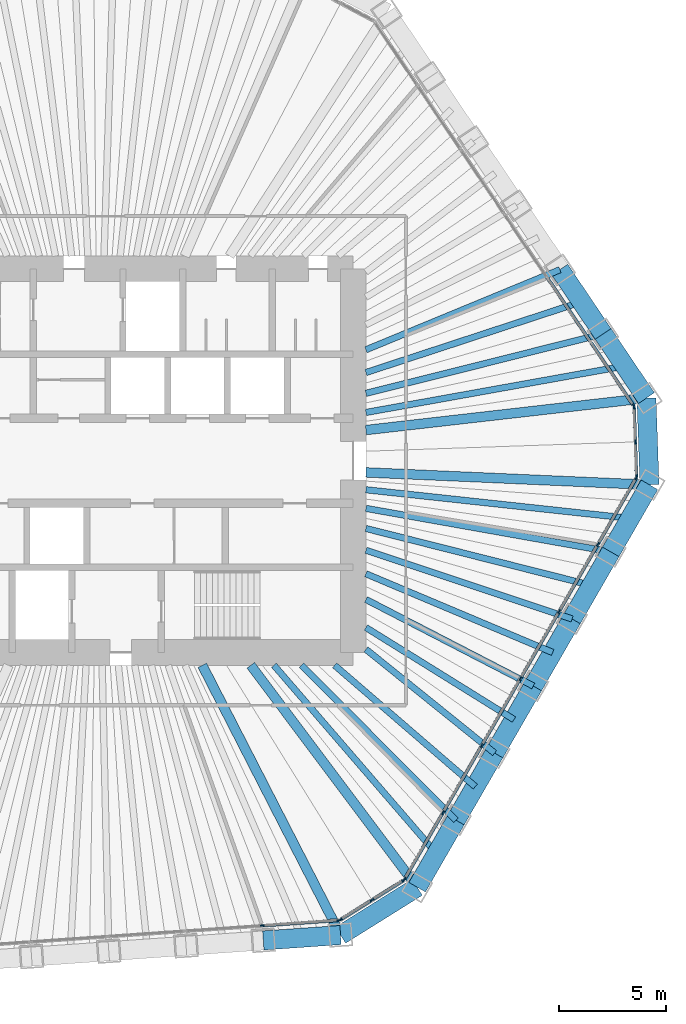
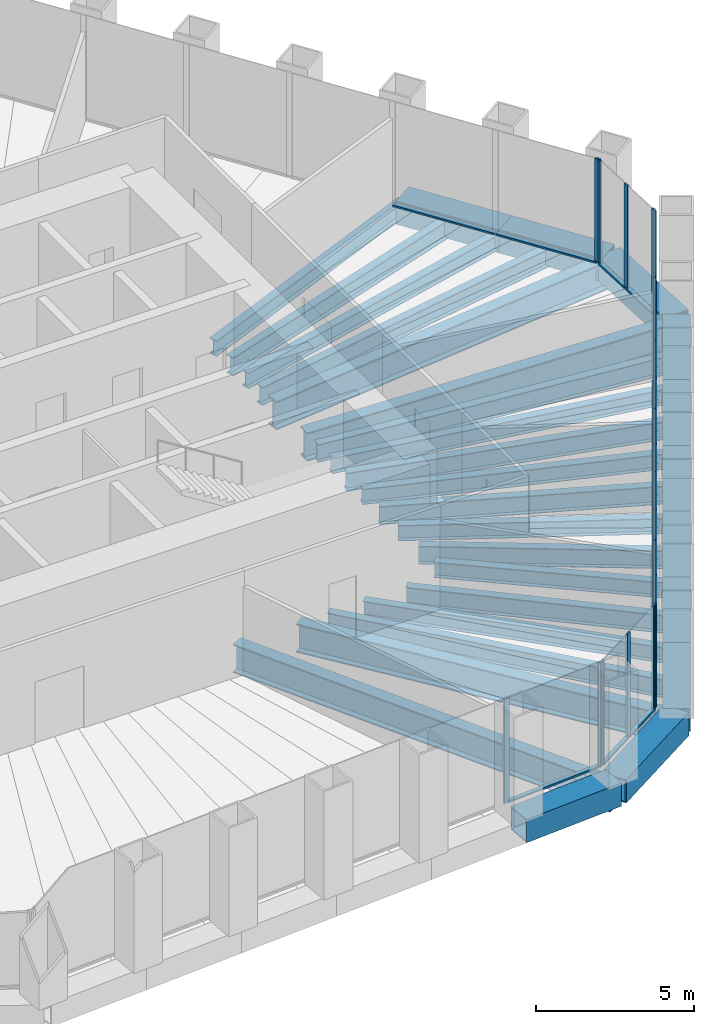
# One storey, part 4 of 13: 30 beams, 29 members, 5 elements without a shape of their own.
"""IFC4 building model written with IfcOpenShell, lengths in metres."""

from ifc_helpers import new_model, si_unit, direction, frame, origin, origin_2d, place, context, subcontext, project, spatial, rectangle, hollow_rectangle, i_section, extrude, material, material_profile, profile_set, type_object, element, aggregate, save


model = new_model("IFC4")

# Units and contexts
model_context = context("Model", 3, precision=1e-05, world=origin(), true_north=direction((0.0, 1.0)))
body_context = subcontext(model_context, "Body", "Model", "MODEL_VIEW")
ifc_project = project(units=[si_unit("LENGTHUNIT", "METRE"), si_unit("AREAUNIT", "SQUARE_METRE"), si_unit("VOLUMEUNIT", "CUBIC_METRE"), si_unit("PLANEANGLEUNIT", "RADIAN"), si_unit("MASSUNIT", "GRAM", prefix="KILO")], contexts=[model_context])

# Site, building, storey
site_placement = place(None, origin())
site = spatial("IfcSite", under=ifc_project, at=site_placement, CompositionType="ELEMENT")
building_placement = place(site_placement, origin())
building = spatial("IfcBuilding", under=site, at=building_placement, Name="Qingtian Harvest Tower", CompositionType="ELEMENT")
storey_placement = place(building_placement, frame((0.0, 0.0, 193.0)))
storey = spatial("IfcBuildingStorey", under=building, at=storey_placement, Name="L41", CompositionType="ELEMENT", Elevation=193.0)

# Beams
ifc_material_1 = material(Name="Steel SM570MC", Category="steel")
ifc_material_profile_1 = material_profile(ifc_material_1, i_section(OverallWidth=0.449951171875, OverallDepth=1.10009765625, WebThickness=0.02197265625, FlangeThickness=0.044921875, at=origin_2d()), Name="H1100x450x22x45")
ifc_profile_set_1 = profile_set([ifc_material_profile_1], Name="Steel SM570MC")
beam_type_1 = type_object("IfcBeamType", Name="Corner floor beam FB8 H1100x450x22x45", PredefinedType="BEAM", material=ifc_profile_set_1)
beam_1_placement = place(storey_placement, frame((25.762451171875, 2.936279296875, -0.719970703125), z_axis=(-0.993566901619, -0.113246686522, 0.0), x_axis=(0.113246686522, -0.993566901619, 0.0)))
element("IfcBeam", 1, at=beam_1_placement, inside=storey, type_object=beam_type_1, Name="Floor beam FB8 NE6", PredefinedType="BEAM", context=body_context, shape_type="SweptSolid", body=[
    extrude(i_section(OverallWidth=0.449951171875, OverallDepth=1.10009765625, WebThickness=0.02197265625, FlangeThickness=0.044921875, at=origin_2d()), origin(), (0.0, 0.0, 1.0), 13.24755859375),
])
beam_2_placement = place(storey_placement, frame((25.904541015625, -1.1318359375, -0.719970703125), z_axis=(-0.999046865424, 0.043650437408, 0.0), x_axis=(-0.043650437408, -0.999046865424, 0.0)))
element("IfcBeam", 2, at=beam_2_placement, inside=storey, type_object=beam_type_1, Name="Floor beam FB8 SE0", PredefinedType="BEAM", context=body_context, shape_type="SweptSolid", body=[
    extrude(i_section(OverallWidth=0.449951171875, OverallDepth=1.10009765625, WebThickness=0.02197265625, FlangeThickness=0.044921875, at=origin_2d()), origin(), (0.0, 0.0, 1.0), 13.317138671875),
])
beam_3_placement = place(storey_placement, frame((15.00390625, -20.012451171875, -0.719970703125), z_axis=(-0.599858913609, 0.800105795357, 0.0), x_axis=(-0.800105795357, -0.599858913609, 0.0)))
element("IfcBeam", 3, at=beam_3_placement, inside=storey, type_object=beam_type_1, Name="Floor beam FB8 SE6", PredefinedType="BEAM", context=body_context, shape_type="SweptSolid", body=[
    extrude(i_section(OverallWidth=0.449951171875, OverallDepth=1.10009765625, WebThickness=0.02197265625, FlangeThickness=0.044921875, at=origin_2d()), origin(), (0.0, 0.0, 1.0), 13.013671875),
])
beam_4_placement = place(storey_placement, frame((11.40966796875, -22.25830078125, -0.719970703125), z_axis=(-0.456157396608, 0.889899111989, 0.0), x_axis=(-0.889899111989, -0.456157396608, 0.0)))
element("IfcBeam", 4, at=beam_4_placement, inside=storey, type_object=beam_type_1, Name="Floor beam FB8 S0", PredefinedType="BEAM", context=body_context, shape_type="SweptSolid", body=[
    extrude(i_section(OverallWidth=0.449951171875, OverallDepth=1.10009765625, WebThickness=0.02197265625, FlangeThickness=0.044921875, at=origin_2d()), origin(), (0.0, 0.0, 1.0), 14.224365234375),
])
ifc_material_2 = material(Name="Steel SN490B", Category="steel")
ifc_material_profile_2 = material_profile(ifc_material_2, i_section(OverallWidth=0.300048828125, OverallDepth=0.60009765625, WebThickness=0.011962890625, FlangeThickness=0.02001953125, at=origin_2d()), Name="H600x300x12x20")
ifc_profile_set_2 = profile_set([ifc_material_profile_2], Name="Steel SN490B")
beam_type_2 = type_object("IfcBeamType", Name="Floor beam FB3 H600x300x12x20", PredefinedType="BEAM", material=ifc_profile_set_2)
beam_5_placement = place(storey_placement, frame((21.69873046875, 8.9609375, -0.469970703125), z_axis=(-0.924281590361, -0.381711332973, 0.0), x_axis=(0.381711332973, -0.924281590361, 0.0)))
element("IfcBeam", 5, at=beam_5_placement, inside=storey, type_object=beam_type_2, Name="Floor beam FB3 NE4", PredefinedType="BEAM", context=body_context, shape_type="SweptSolid", body=[
    extrude(i_section(OverallWidth=0.300048828125, OverallDepth=0.60009765625, WebThickness=0.011962890625, FlangeThickness=0.02001953125, at=origin_2d()), origin(), (0.0, 0.0, 1.0), 9.843994140625),
])
beam_6_placement = place(storey_placement, frame((23.730712890625, 5.948486328125, -0.469970703125), z_axis=(-0.969990876487, -0.243141315972, 0.0), x_axis=(0.243141315972, -0.969990876487, 0.0)))
element("IfcBeam", 6, at=beam_6_placement, inside=storey, type_object=beam_type_2, Name="Floor beam FB3 NE5", PredefinedType="BEAM", context=body_context, shape_type="SweptSolid", body=[
    extrude(i_section(OverallWidth=0.300048828125, OverallDepth=0.60009765625, WebThickness=0.011962890625, FlangeThickness=0.02001953125, at=origin_2d()), origin(), (0.0, 0.0, 1.0), 11.474853515625),
])
beam_7_placement = place(storey_placement, frame((24.087890625, -4.27880859375, -0.469970703125), z_axis=(-0.98458469654, 0.174908477034, 0.0), x_axis=(-0.174908477034, -0.98458469654, 0.0)))
element("IfcBeam", 7, at=beam_7_placement, inside=storey, type_object=beam_type_2, Name="Floor beam FB3 SE1", PredefinedType="BEAM", context=body_context, shape_type="SweptSolid", body=[
    extrude(i_section(OverallWidth=0.300048828125, OverallDepth=0.60009765625, WebThickness=0.011962890625, FlangeThickness=0.02001953125, at=origin_2d()), origin(), (0.0, 0.0, 1.0), 11.667724609375),
])
beam_8_placement = place(storey_placement, frame((22.27099609375, -7.425537109375, -0.469970703125), z_axis=(-0.948654555734, 0.316313979908, 0.0), x_axis=(-0.316313979908, -0.948654555734, 0.0)))
element("IfcBeam", 8, at=beam_8_placement, inside=storey, type_object=beam_type_2, Name="Floor beam FB3 SE2", PredefinedType="BEAM", context=body_context, shape_type="SweptSolid", body=[
    extrude(i_section(OverallWidth=0.300048828125, OverallDepth=0.60009765625, WebThickness=0.011962890625, FlangeThickness=0.02001953125, at=origin_2d()), origin(), (0.0, 0.0, 1.0), 10.1943359375),
])
beam_9_placement = place(storey_placement, frame((20.454345703125, -10.572265625, -0.469970703125), z_axis=(-0.888343501027, 0.459179511938, 0.0), x_axis=(-0.459179511938, -0.888343501027, 0.0)))
element("IfcBeam", 9, at=beam_9_placement, inside=storey, type_object=beam_type_2, Name="Floor beam FB3 SE3", PredefinedType="BEAM", context=body_context, shape_type="SweptSolid", body=[
    extrude(i_section(OverallWidth=0.300048828125, OverallDepth=0.60009765625, WebThickness=0.011962890625, FlangeThickness=0.02001953125, at=origin_2d()), origin(), (0.0, 0.0, 1.0), 8.841552734375),
])
beam_10_placement = place(storey_placement, frame((18.637451171875, -13.718994140625, -0.469970703125), z_axis=(-0.77840907003, 0.62775737327, 0.0), x_axis=(-0.62775737327, -0.77840907003, 0.0)))
element("IfcBeam", 10, at=beam_10_placement, inside=storey, type_object=beam_type_2, Name="Floor beam FB3 SE4", PredefinedType="BEAM", context=body_context, shape_type="SweptSolid", body=[
    extrude(i_section(OverallWidth=0.300048828125, OverallDepth=0.60009765625, WebThickness=0.011962890625, FlangeThickness=0.02001953125, at=origin_2d()), origin(), (0.0, 0.0, 1.0), 7.756103515625),
])
beam_11_placement = place(storey_placement, frame((16.82080078125, -16.86572265625, -0.469970703125), z_axis=(-0.70616637797, 0.708045935392, 0.0), x_axis=(-0.708045935392, -0.70616637797, 0.0)))
element("IfcBeam", 11, at=beam_11_placement, inside=storey, type_object=beam_type_2, Name="Floor beam FB3 SE5", PredefinedType="BEAM", context=body_context, shape_type="SweptSolid", body=[
    extrude(i_section(OverallWidth=0.300048828125, OverallDepth=0.60009765625, WebThickness=0.011962890625, FlangeThickness=0.02001953125, at=origin_2d()), origin(), (0.0, 0.0, 1.0), 10.261474609375),
])
ifc_material_3 = material(Name="Steel SN490B", Category="steel")
ifc_material_profile_3 = material_profile(ifc_material_3, i_section(OverallWidth=0.300048828125, OverallDepth=0.699951171875, WebThickness=0.012939453125, FlangeThickness=0.02392578125, at=origin_2d()), Name="H700x300x13x24")
ifc_profile_set_3 = profile_set([ifc_material_profile_3], Name="Steel SN490B")
beam_type_3 = type_object("IfcBeamType", Name="Floor joist J2 H700x300x13x24", PredefinedType="JOIST", material=ifc_profile_set_3)
beam_12_placement = place(storey_placement, frame((22.71484375, 7.454833984375, -0.52001953125), z_axis=(-0.950138567513, -0.311828001508, 0.0), x_axis=(0.311828001508, -0.950138567513, 0.0)))
element("IfcBeam", 12, at=beam_12_placement, inside=storey, type_object=beam_type_3, Name="Floor joist J2 NE4", PredefinedType="JOIST", context=body_context, shape_type="SweptSolid", body=[
    extrude(i_section(OverallWidth=0.300048828125, OverallDepth=0.699951171875, WebThickness=0.012939453125, FlangeThickness=0.02392578125, at=origin_2d()), origin(), (0.0, 0.0, 1.0), 10.6455078125),
])
beam_13_placement = place(storey_placement, frame((24.74658203125, 4.4423828125, -0.52001953125), z_axis=(-0.98426723745, -0.176686177393, 0.0), x_axis=(0.176686177393, -0.98426723745, 0.0)))
element("IfcBeam", 13, at=beam_13_placement, inside=storey, type_object=beam_type_3, Name="Floor joist J2 NE5", PredefinedType="JOIST", context=body_context, shape_type="SweptSolid", body=[
    extrude(i_section(OverallWidth=0.300048828125, OverallDepth=0.699951171875, WebThickness=0.012939453125, FlangeThickness=0.02392578125, at=origin_2d()), origin(), (0.0, 0.0, 1.0), 12.340576171875),
])
beam_14_placement = place(storey_placement, frame((24.99609375, -2.705322265625, -0.52001953125), z_axis=(-0.994194656298, 0.107596400448, 0.0), x_axis=(-0.107596400448, -0.994194656298, 0.0)))
element("IfcBeam", 14, at=beam_14_placement, inside=storey, type_object=beam_type_3, Name="Floor joist J2 SE0", PredefinedType="JOIST", context=body_context, shape_type="SweptSolid", body=[
    extrude(i_section(OverallWidth=0.300048828125, OverallDepth=0.699951171875, WebThickness=0.012939453125, FlangeThickness=0.02392578125, at=origin_2d()), origin(), (0.0, 0.0, 1.0), 12.46826171875),
])
beam_15_placement = place(storey_placement, frame((23.179443359375, -5.85205078125, -0.52001953125), z_axis=(-0.969577887027, 0.244783007963, 0.0), x_axis=(-0.244783007963, -0.969577887027, 0.0)))
element("IfcBeam", 15, at=beam_15_placement, inside=storey, type_object=beam_type_3, Name="Floor joist J2 SE1", PredefinedType="JOIST", context=body_context, shape_type="SweptSolid", body=[
    extrude(i_section(OverallWidth=0.300048828125, OverallDepth=0.699951171875, WebThickness=0.012939453125, FlangeThickness=0.02392578125, at=origin_2d()), origin(), (0.0, 0.0, 1.0), 10.911376953125),
])
beam_16_placement = place(storey_placement, frame((21.362548828125, -8.998779296875, -0.52001953125), z_axis=(-0.921571079516, 0.388209666803, 0.0), x_axis=(-0.388209666803, -0.921571079516, 0.0)))
element("IfcBeam", 16, at=beam_16_placement, inside=storey, type_object=beam_type_3, Name="Floor joist J2 SE2", PredefinedType="JOIST", context=body_context, shape_type="SweptSolid", body=[
    extrude(i_section(OverallWidth=0.300048828125, OverallDepth=0.699951171875, WebThickness=0.012939453125, FlangeThickness=0.02392578125, at=origin_2d()), origin(), (0.0, 0.0, 1.0), 9.508056640625),
])
beam_17_placement = place(storey_placement, frame((19.5458984375, -12.1455078125, -0.52001953125), z_axis=(-0.849380822906, 0.527780463526, 0.0), x_axis=(-0.527780463526, -0.849380822906, 0.0)))
element("IfcBeam", 17, at=beam_17_placement, inside=storey, type_object=beam_type_3, Name="Floor joist J2 SE3", PredefinedType="JOIST", context=body_context, shape_type="SweptSolid", body=[
    extrude(i_section(OverallWidth=0.300048828125, OverallDepth=0.699951171875, WebThickness=0.012939453125, FlangeThickness=0.02392578125, at=origin_2d()), origin(), (0.0, 0.0, 1.0), 8.177490234375),
])
beam_18_placement = place(storey_placement, frame((17.72900390625, -15.292236328125, -0.52001953125), z_axis=(-0.757237954988, 0.653139096613, 0.0), x_axis=(-0.653139096613, -0.757237954988, 0.0)))
element("IfcBeam", 18, at=beam_18_placement, inside=storey, type_object=beam_type_3, Name="Floor joist J2 SE4", PredefinedType="JOIST", context=body_context, shape_type="SweptSolid", body=[
    extrude(i_section(OverallWidth=0.300048828125, OverallDepth=0.699951171875, WebThickness=0.012939453125, FlangeThickness=0.02392578125, at=origin_2d()), origin(), (0.0, 0.0, 1.0), 8.715087890625),
])
beam_19_placement = place(storey_placement, frame((15.912353515625, -18.43896484375, -0.52001953125), z_axis=(-0.653343257086, 0.757061812813, 0.0), x_axis=(-0.757061812813, -0.653343257086, 0.0)))
element("IfcBeam", 19, at=beam_19_placement, inside=storey, type_object=beam_type_3, Name="Floor joist J2 SE5", PredefinedType="JOIST", context=body_context, shape_type="SweptSolid", body=[
    extrude(i_section(OverallWidth=0.300048828125, OverallDepth=0.699951171875, WebThickness=0.012939453125, FlangeThickness=0.02392578125, at=origin_2d()), origin(), (0.0, 0.0, 1.0), 11.67529296875),
])

# Curtain wall, member
ifc_material_4 = material(Name="Bronze-anodised aluminium curtain wall", Category="aluminium")
curtain_wall_type = type_object("IfcCurtainWallType", Name="Curtain wall CW4 office", PredefinedType="USERDEFINED", material=ifc_material_4)
curtain_wall_1_placement = place(storey_placement, origin())
curtain_wall_1 = element("IfcCurtainWall", 20, at=curtain_wall_1_placement, inside=storey, type_object=curtain_wall_type, Name="Curtain wall CW4 L41 NE0-5", ObjectType="RECESSED CURTAIN WALL", PredefinedType="USERDEFINED")
ifc_material_5 = material(Name="Bronze-anodised aluminium mullion", Category="aluminium")
ifc_material_profile_4 = material_profile(ifc_material_5, rectangle(XDim=0.06494140625, YDim=0.199951171875, at=origin_2d()), Name="AL 65x200")
ifc_profile_set_4 = profile_set([ifc_material_profile_4], Name="Bronze-anodised aluminium mullion")
member_type_1 = type_object("IfcMemberType", Name="Mullion CWM 65x200", PredefinedType="MULLION", material=ifc_profile_set_4)
member_1_placement = place(storey_placement, frame((25.1640625, 2.57177734375, 0.0), z_axis=(0.0, 0.0, 1.0), x_axis=(0.829037572555, 0.559192903471, 0.0)))
member_1 = element("IfcMember", 21, at=member_1_placement, type_object=member_type_1, Name="CW4 mullion 7", PredefinedType="MULLION", context=body_context, shape_type="SweptSolid", body=[
    extrude(rectangle(XDim=0.06494140625, YDim=0.199951171875, at=origin_2d()), origin(), (0.0, 0.0, 1.0), 4.030029296875),
])

# Curtain wall, members
curtain_wall_2_placement = place(storey_placement, origin())
curtain_wall_2 = element("IfcCurtainWall", 22, at=curtain_wall_2_placement, inside=storey, type_object=curtain_wall_type, Name="Curtain wall CW4 L41 NEC", ObjectType="RECESSED CURTAIN WALL", PredefinedType="USERDEFINED")
member_2_placement = place(storey_placement, frame((25.183349609375, 2.51220703125, 0.0), z_axis=(0.0, 0.0, 1.0), x_axis=(0.999390827019, 0.034899496703, 0.0)))
member_2 = element("IfcMember", 23, at=member_2_placement, type_object=member_type_1, Name="CW4 mullion 1", PredefinedType="MULLION", context=body_context, shape_type="SweptSolid", body=[
    extrude(rectangle(XDim=0.06494140625, YDim=0.199951171875, at=origin_2d()), origin(), (0.0, 0.0, 1.0), 4.030029296875),
])
member_3_placement = place(storey_placement, frame((25.240234375, 0.88134765625, 0.0), z_axis=(0.0, 0.0, 1.0), x_axis=(0.999390827019, 0.034899496703, 0.0)))
member_3 = element("IfcMember", 24, at=member_3_placement, type_object=member_type_1, Name="CW4 mullion 2", PredefinedType="MULLION", context=body_context, shape_type="SweptSolid", body=[
    extrude(rectangle(XDim=0.06494140625, YDim=0.199951171875, at=origin_2d()), origin(), (0.0, 0.0, 1.0), 4.030029296875),
])
member_4_placement = place(storey_placement, frame((25.297119140625, -0.74951171875, 0.0), z_axis=(0.0, 0.0, 1.0), x_axis=(0.999390827019, 0.034899496703, 0.0)))
member_4 = element("IfcMember", 25, at=member_4_placement, type_object=member_type_1, Name="CW4 mullion 3", PredefinedType="MULLION", context=body_context, shape_type="SweptSolid", body=[
    extrude(rectangle(XDim=0.06494140625, YDim=0.199951171875, at=origin_2d()), origin(), (0.0, 0.0, 1.0), 4.030029296875),
])

curtain_wall_3_placement = place(storey_placement, origin())
curtain_wall_3 = element("IfcCurtainWall", 26, at=curtain_wall_3_placement, inside=storey, type_object=curtain_wall_type, Name="Curtain wall CW4 L41 SE0-5", ObjectType="RECESSED CURTAIN WALL", PredefinedType="USERDEFINED")
member_5_placement = place(storey_placement, frame((25.2822265625, -0.81005859375, 0.0), z_axis=(0.0, 0.0, 1.0), x_axis=(0.866025403784, -0.5, 0.0)))
member_5 = element("IfcMember", 27, at=member_5_placement, type_object=member_type_1, Name="CW4 mullion 1", PredefinedType="MULLION", context=body_context, shape_type="SweptSolid", body=[
    extrude(rectangle(XDim=0.06494140625, YDim=0.199951171875, at=origin_2d()), origin(), (0.0, 0.0, 1.0), 4.030029296875),
])
member_6_placement = place(storey_placement, frame((23.481689453125, -3.9287109375, 0.0), z_axis=(0.0, 0.0, 1.0), x_axis=(0.866025403784, -0.5, 0.0)))
member_6 = element("IfcMember", 28, at=member_6_placement, type_object=member_type_1, Name="CW4 mullion 2", PredefinedType="MULLION", context=body_context, shape_type="SweptSolid", body=[
    extrude(rectangle(XDim=0.06494140625, YDim=0.199951171875, at=origin_2d()), origin(), (0.0, 0.0, 1.0), 4.030029296875),
])
member_7_placement = place(storey_placement, frame((21.664794921875, -7.075439453125, 0.0), z_axis=(0.0, 0.0, 1.0), x_axis=(0.866025403784, -0.5, 0.0)))
member_7 = element("IfcMember", 29, at=member_7_placement, type_object=member_type_1, Name="CW4 mullion 3", PredefinedType="MULLION", context=body_context, shape_type="SweptSolid", body=[
    extrude(rectangle(XDim=0.06494140625, YDim=0.199951171875, at=origin_2d()), origin(), (0.0, 0.0, 1.0), 4.030029296875),
])
member_8_placement = place(storey_placement, frame((19.84814453125, -10.22216796875, 0.0), z_axis=(0.0, 0.0, 1.0), x_axis=(0.866025403784, -0.5, 0.0)))
member_8 = element("IfcMember", 30, at=member_8_placement, type_object=member_type_1, Name="CW4 mullion 4", PredefinedType="MULLION", context=body_context, shape_type="SweptSolid", body=[
    extrude(rectangle(XDim=0.06494140625, YDim=0.199951171875, at=origin_2d()), origin(), (0.0, 0.0, 1.0), 4.030029296875),
])
member_9_placement = place(storey_placement, frame((18.03125, -13.368896484375, 0.0), z_axis=(0.0, 0.0, 1.0), x_axis=(0.866025403784, -0.5, 0.0)))
member_9 = element("IfcMember", 31, at=member_9_placement, type_object=member_type_1, Name="CW4 mullion 5", PredefinedType="MULLION", context=body_context, shape_type="SweptSolid", body=[
    extrude(rectangle(XDim=0.06494140625, YDim=0.199951171875, at=origin_2d()), origin(), (0.0, 0.0, 1.0), 4.030029296875),
])
member_10_placement = place(storey_placement, frame((16.214599609375, -16.515625, 0.0), z_axis=(0.0, 0.0, 1.0), x_axis=(0.866025403784, -0.5, 0.0)))
member_10 = element("IfcMember", 32, at=member_10_placement, type_object=member_type_1, Name="CW4 mullion 6", PredefinedType="MULLION", context=body_context, shape_type="SweptSolid", body=[
    extrude(rectangle(XDim=0.06494140625, YDim=0.199951171875, at=origin_2d()), origin(), (0.0, 0.0, 1.0), 4.030029296875),
])
member_11_placement = place(storey_placement, frame((14.4140625, -19.63427734375, 0.0), z_axis=(0.0, 0.0, 1.0), x_axis=(0.866025403784, -0.5, 0.0)))
member_11 = element("IfcMember", 33, at=member_11_placement, type_object=member_type_1, Name="CW4 mullion 7", PredefinedType="MULLION", context=body_context, shape_type="SweptSolid", body=[
    extrude(rectangle(XDim=0.06494140625, YDim=0.199951171875, at=origin_2d()), origin(), (0.0, 0.0, 1.0), 4.030029296875),
])

curtain_wall_4_placement = place(storey_placement, origin())
curtain_wall_4 = element("IfcCurtainWall", 34, at=curtain_wall_4_placement, inside=storey, type_object=curtain_wall_type, Name="Curtain wall CW4 L41 SEC", ObjectType="RECESSED CURTAIN WALL", PredefinedType="USERDEFINED")
member_12_placement = place(storey_placement, frame((14.3701171875, -19.6796875, 0.0), z_axis=(0.0, 0.0, 1.0), x_axis=(0.529919264233, -0.848048096156, 0.0)))
member_12 = element("IfcMember", 35, at=member_12_placement, type_object=member_type_1, Name="CW4 mullion 1", PredefinedType="MULLION", context=body_context, shape_type="SweptSolid", body=[
    extrude(rectangle(XDim=0.06494140625, YDim=0.199951171875, at=origin_2d()), origin(), (0.0, 0.0, 1.0), 4.030029296875),
])
member_13_placement = place(storey_placement, frame((12.87939453125, -20.611328125, 0.0), z_axis=(0.0, 0.0, 1.0), x_axis=(0.529919264233, -0.848048096156, 0.0)))
member_13 = element("IfcMember", 36, at=member_13_placement, type_object=member_type_1, Name="CW4 mullion 2", PredefinedType="MULLION", context=body_context, shape_type="SweptSolid", body=[
    extrude(rectangle(XDim=0.06494140625, YDim=0.199951171875, at=origin_2d()), origin(), (0.0, 0.0, 1.0), 4.030029296875),
])
member_14_placement = place(storey_placement, frame((11.388427734375, -21.542724609375, 0.0), z_axis=(0.0, 0.0, 1.0), x_axis=(0.529919264233, -0.848048096156, 0.0)))
member_14 = element("IfcMember", 37, at=member_14_placement, type_object=member_type_1, Name="CW4 mullion 3", PredefinedType="MULLION", context=body_context, shape_type="SweptSolid", body=[
    extrude(rectangle(XDim=0.06494140625, YDim=0.199951171875, at=origin_2d()), origin(), (0.0, 0.0, 1.0), 4.030029296875),
])

curtain_wall_5_placement = place(storey_placement, origin())
curtain_wall_5 = element("IfcCurtainWall", 38, at=curtain_wall_5_placement, inside=storey, type_object=curtain_wall_type, Name="Curtain wall CW4 L41 S0-5", ObjectType="RECESSED CURTAIN WALL", PredefinedType="USERDEFINED")
member_15_placement = place(storey_placement, frame((11.32861328125, -21.562255859375, 0.0), z_axis=(0.0, 0.0, 1.0), x_axis=(0.069756473744, -0.99756405026, 0.0)))
member_15 = element("IfcMember", 39, at=member_15_placement, type_object=member_type_1, Name="CW4 mullion 1", PredefinedType="MULLION", context=body_context, shape_type="SweptSolid", body=[
    extrude(rectangle(XDim=0.06494140625, YDim=0.199951171875, at=origin_2d()), origin(), (0.0, 0.0, 1.0), 4.030029296875),
])
member_16_placement = place(storey_placement, frame((7.736328125, -21.8134765625, 0.0), z_axis=(0.0, 0.0, 1.0), x_axis=(0.069756473744, -0.99756405026, 0.0)))
member_16 = element("IfcMember", 40, at=member_16_placement, type_object=member_type_1, Name="CW4 mullion 2", PredefinedType="MULLION", context=body_context, shape_type="SweptSolid", body=[
    extrude(rectangle(XDim=0.06494140625, YDim=0.199951171875, at=origin_2d()), origin(), (0.0, 0.0, 1.0), 4.030029296875),
])

# Beams
ifc_material_6 = material(Name="Steel SM570MC", Category="steel")
ifc_material_profile_5 = material_profile(ifc_material_6, hollow_rectangle(XDim=0.89990234375, YDim=0.89990234375, WallThickness=0.050048828125, at=origin_2d()), Name="BOX900x900x50")
ifc_profile_set_5 = profile_set([ifc_material_profile_5], Name="Steel SM570MC")
beam_type_4 = type_object("IfcBeamType", Name="Transition spandrel SB6 BOX900x900x50", PredefinedType="SPANDREL", material=ifc_profile_set_5)
beam_20_placement = place(storey_placement, frame((21.69873046875, 8.9609375, -0.449951171875), z_axis=(0.55920395902, -0.829030115385, 0.0), x_axis=(0.829030115385, 0.55920395902, 0.0)))
element("IfcBeam", 41, at=beam_20_placement, inside=storey, type_object=beam_type_4, Name="Spandrel SB6 NE4", PredefinedType="SPANDREL", context=body_context, shape_type="SweptSolid", body=[
    extrude(hollow_rectangle(XDim=0.89990234375, YDim=0.89990234375, WallThickness=0.050048828125, at=origin_2d()), origin(), (0.0, 0.0, 1.0), 3.6337890625),
])
beam_21_placement = place(storey_placement, frame((23.730712890625, 5.948486328125, -0.449951171875), z_axis=(0.559188928021, -0.829040254016, 0.0), x_axis=(0.829040254016, 0.559188928021, 0.0)))
element("IfcBeam", 42, at=beam_21_placement, inside=storey, type_object=beam_type_4, Name="Spandrel SB6 NE5", PredefinedType="SPANDREL", context=body_context, shape_type="SweptSolid", body=[
    extrude(hollow_rectangle(XDim=0.89990234375, YDim=0.89990234375, WallThickness=0.050048828125, at=origin_2d()), origin(), (0.0, 0.0, 1.0), 3.63330078125),
])
beam_22_placement = place(storey_placement, frame((25.762451171875, 2.936279296875, -0.449951171875), z_axis=(0.03490639867, -0.999390585973, 0.0), x_axis=(0.999390585973, 0.03490639867, 0.0)))
element("IfcBeam", 43, at=beam_22_placement, inside=storey, type_object=beam_type_4, Name="Spandrel SB6 NEC", PredefinedType="SPANDREL", context=body_context, shape_type="SweptSolid", body=[
    extrude(hollow_rectangle(XDim=0.89990234375, YDim=0.89990234375, WallThickness=0.050048828125, at=origin_2d()), origin(), (0.0, 0.0, 1.0), 4.070556640625),
])
beam_23_placement = place(storey_placement, frame((25.904541015625, -1.1318359375, -0.449951171875), z_axis=(-0.499947341849, -0.866055803848, 0.0), x_axis=(0.866055803848, -0.499947341849, 0.0)))
element("IfcBeam", 44, at=beam_23_placement, inside=storey, type_object=beam_type_4, Name="Spandrel SB6 SE0", PredefinedType="SPANDREL", context=body_context, shape_type="SweptSolid", body=[
    extrude(hollow_rectangle(XDim=0.89990234375, YDim=0.89990234375, WallThickness=0.050048828125, at=origin_2d()), origin(), (0.0, 0.0, 1.0), 3.6337890625),
])
for number, where, z_axis, x_axis, name in (
    (45, (24.087890625, -4.27880859375, -0.449951171875), (-0.500026827678, -0.866009914263, 0.0), (0.866009914263, -0.500026827678, 0.0), "Spandrel SB6 SE1"),
    (46, (22.27099609375, -7.425537109375, -0.449951171875), (-0.499976434558, -0.866039008871, 0.0), (0.866039008871, -0.499976434558, 0.0), "Spandrel SB6 SE2"),
    (47, (20.454345703125, -10.572265625, -0.449951171875), (-0.500026827678, -0.866009914263, 0.0), (0.866009914263, -0.500026827678, 0.0), "Spandrel SB6 SE3"),
    (48, (18.637451171875, -13.718994140625, -0.449951171875), (-0.499976434558, -0.866039008871, 0.0), (0.866039008871, -0.499976434558, 0.0), "Spandrel SB6 SE4"),
    (49, (16.82080078125, -16.86572265625, -0.449951171875), (-0.500026827678, -0.866009914263, 0.0), (0.866009914263, -0.500026827678, 0.0), "Spandrel SB6 SE5"),
):
    element("IfcBeam", number, at=place(storey_placement, frame(where, z_axis=z_axis, x_axis=x_axis)), inside=storey, type_object=beam_type_4, Name=name, PredefinedType="SPANDREL", context=body_context, shape_type="SweptSolid", body=[
        extrude(hollow_rectangle(XDim=0.89990234375, YDim=0.89990234375, WallThickness=0.050048828125, at=origin_2d()), origin(), (0.0, 0.0, 1.0), 3.633544921875),
    ])
beam_24_placement = place(storey_placement, frame((15.00390625, -20.012451171875, -0.449951171875), z_axis=(-0.848056550838, -0.529905733675, 0.0), x_axis=(0.529905733675, -0.848056550838, 0.0)))
element("IfcBeam", 50, at=beam_24_placement, inside=storey, type_object=beam_type_4, Name="Spandrel SB6 SEC", PredefinedType="SPANDREL", context=body_context, shape_type="SweptSolid", body=[
    extrude(hollow_rectangle(XDim=0.89990234375, YDim=0.89990234375, WallThickness=0.050048828125, at=origin_2d()), origin(), (0.0, 0.0, 1.0), 4.23828125),
])
beam_25_placement = place(storey_placement, frame((11.40966796875, -22.25830078125, -0.449951171875), z_axis=(-0.997564674207, -0.069747550305, 0.0), x_axis=(0.069747550305, -0.997564674207, 0.0)))
element("IfcBeam", 51, at=beam_25_placement, inside=storey, type_object=beam_type_4, Name="Spandrel SB6 S0", PredefinedType="SPANDREL", context=body_context, shape_type="SweptSolid", body=[
    extrude(hollow_rectangle(XDim=0.89990234375, YDim=0.89990234375, WallThickness=0.050048828125, at=origin_2d()), origin(), (0.0, 0.0, 1.0), 3.63330078125),
])

# Member
ifc_material_7 = material(Name="Bronze-anodised aluminium transom", Category="aluminium")
ifc_material_profile_6 = material_profile(ifc_material_7, rectangle(XDim=0.14990234375, YDim=0.06494140625, at=origin_2d()), Name="AL 65x150")
ifc_profile_set_6 = profile_set([ifc_material_profile_6], Name="Bronze-anodised aluminium transom")
member_type_2 = type_object("IfcMemberType", Name="Transom CWT 65x150", PredefinedType="USERDEFINED", material=ifc_profile_set_6)
member_17_placement = place(storey_placement, frame((21.13671875, 8.54248046875, 0.032470703125), z_axis=(0.559160259871, -0.829059590006, 0.0), x_axis=(0.829059590006, 0.559160259871, 0.0)))
member_17 = element("IfcMember", 52, at=member_17_placement, type_object=member_type_2, Name="CW4 transom 5.1", ObjectType="TRANSOM", PredefinedType="USERDEFINED", context=body_context, shape_type="SweptSolid", body=[
    extrude(rectangle(XDim=0.14990234375, YDim=0.06494140625, at=origin_2d()), origin(), (0.0, 0.0, 1.0), 3.568603515625),
])

member_18_placement = place(storey_placement, frame((23.16845703125, 5.5302734375, 0.032470703125), z_axis=(0.559169259008, -0.829053520456, 0.0), x_axis=(0.829053520456, 0.559169259008, 0.0)))
member_18 = element("IfcMember", 53, at=member_18_placement, type_object=member_type_2, Name="CW4 transom 6.1", ObjectType="TRANSOM", PredefinedType="USERDEFINED", context=body_context, shape_type="SweptSolid", body=[
    extrude(rectangle(XDim=0.14990234375, YDim=0.06494140625, at=origin_2d()), origin(), (0.0, 0.0, 1.0), 3.5361328125),
])

aggregate(curtain_wall_1, [member_1, member_17, member_18])

member_19_placement = place(storey_placement, frame((25.1845703125, 2.479736328125, 0.032470703125), z_axis=(0.034902326647, -0.999390728191, 0.0), x_axis=(0.999390728191, 0.034902326647, 0.0)))
member_19 = element("IfcMember", 54, at=member_19_placement, type_object=member_type_2, Name="CW4 transom 1.1", ObjectType="TRANSOM", PredefinedType="USERDEFINED", context=body_context, shape_type="SweptSolid", body=[
    extrude(rectangle(XDim=0.14990234375, YDim=0.06494140625, at=origin_2d()), origin(), (0.0, 0.0, 1.0), 1.56689453125),
])

member_20_placement = place(storey_placement, frame((25.241455078125, 0.848876953125, 0.032470703125), z_axis=(0.034902326647, -0.999390728191, 0.0), x_axis=(0.999390728191, 0.034902326647, 0.0)))
member_20 = element("IfcMember", 55, at=member_20_placement, type_object=member_type_2, Name="CW4 transom 2.1", ObjectType="TRANSOM", PredefinedType="USERDEFINED", context=body_context, shape_type="SweptSolid", body=[
    extrude(rectangle(XDim=0.14990234375, YDim=0.06494140625, at=origin_2d()), origin(), (0.0, 0.0, 1.0), 1.56689453125),
])

aggregate(curtain_wall_2, [member_2, member_3, member_4, member_19, member_20])

member_21_placement = place(storey_placement, frame((25.265869140625, -0.838134765625, 0.032470703125), z_axis=(-0.499985409597, -0.866033827394, 0.0), x_axis=(0.866033827394, -0.499985409597, 0.0)))
member_21 = element("IfcMember", 56, at=member_21_placement, type_object=member_type_2, Name="CW4 transom 1.1", ObjectType="TRANSOM", PredefinedType="USERDEFINED", context=body_context, shape_type="SweptSolid", body=[
    extrude(rectangle(XDim=0.14990234375, YDim=0.06494140625, at=origin_2d()), origin(), (0.0, 0.0, 1.0), 3.5361328125),
])

member_22_placement = place(storey_placement, frame((23.46533203125, -3.956787109375, 0.032470703125), z_axis=(-0.499965259726, -0.866045460162, 0.0), x_axis=(0.866045460162, -0.499965259726, 0.0)))
member_22 = element("IfcMember", 57, at=member_22_placement, type_object=member_type_2, Name="CW4 transom 2.1", ObjectType="TRANSOM", PredefinedType="USERDEFINED", context=body_context, shape_type="SweptSolid", body=[
    extrude(rectangle(XDim=0.14990234375, YDim=0.06494140625, at=origin_2d()), origin(), (0.0, 0.0, 1.0), 3.568603515625),
])

member_23_placement = place(storey_placement, frame((21.648681640625, -7.103515625, 0.032470703125), z_axis=(-0.500016569533, -0.866015837149, 0.0), x_axis=(0.866015837149, -0.500016569533, 0.0)))
member_23 = element("IfcMember", 58, at=member_23_placement, type_object=member_type_2, Name="CW4 transom 3.1", ObjectType="TRANSOM", PredefinedType="USERDEFINED", context=body_context, shape_type="SweptSolid", body=[
    extrude(rectangle(XDim=0.14990234375, YDim=0.06494140625, at=origin_2d()), origin(), (0.0, 0.0, 1.0), 3.56884765625),
])

member_24_placement = place(storey_placement, frame((19.831787109375, -10.250244140625, 0.032470703125), z_axis=(-0.499965259726, -0.866045460162, 0.0), x_axis=(0.866045460162, -0.499965259726, 0.0)))
member_24 = element("IfcMember", 59, at=member_24_placement, type_object=member_type_2, Name="CW4 transom 4.1", ObjectType="TRANSOM", PredefinedType="USERDEFINED", context=body_context, shape_type="SweptSolid", body=[
    extrude(rectangle(XDim=0.14990234375, YDim=0.06494140625, at=origin_2d()), origin(), (0.0, 0.0, 1.0), 3.568603515625),
])

member_25_placement = place(storey_placement, frame((18.014892578125, -13.39697265625, 0.032470703125), z_axis=(-0.499965259726, -0.866045460162, 0.0), x_axis=(0.866045460162, -0.499965259726, 0.0)))
member_25 = element("IfcMember", 60, at=member_25_placement, type_object=member_type_2, Name="CW4 transom 5.1", ObjectType="TRANSOM", PredefinedType="USERDEFINED", context=body_context, shape_type="SweptSolid", body=[
    extrude(rectangle(XDim=0.14990234375, YDim=0.06494140625, at=origin_2d()), origin(), (0.0, 0.0, 1.0), 3.568603515625),
])

member_26_placement = place(storey_placement, frame((16.1982421875, -16.5439453125, 0.032470703125), z_axis=(-0.500015305566, -0.866016566931, 0.0), x_axis=(0.866016566931, -0.500015305566, 0.0)))
member_26 = element("IfcMember", 61, at=member_26_placement, type_object=member_type_2, Name="CW4 transom 6.1", ObjectType="TRANSOM", PredefinedType="USERDEFINED", context=body_context, shape_type="SweptSolid", body=[
    extrude(rectangle(XDim=0.14990234375, YDim=0.06494140625, at=origin_2d()), origin(), (0.0, 0.0, 1.0), 3.5361328125),
])

aggregate(curtain_wall_3, [member_5, member_6, member_7, member_8, member_9, member_10, member_11, member_21, member_22, member_23, member_24, member_25, member_26])

member_27_placement = place(storey_placement, frame((14.342529296875, -19.69677734375, 0.032470703125), z_axis=(-0.847998304005, -0.529998940003, 0.0), x_axis=(0.529998940003, -0.847998304005, 0.0)))
member_27 = element("IfcMember", 62, at=member_27_placement, type_object=member_type_2, Name="CW4 transom 1.1", ObjectType="TRANSOM", PredefinedType="USERDEFINED", context=body_context, shape_type="SweptSolid", body=[
    extrude(rectangle(XDim=0.14990234375, YDim=0.06494140625, at=origin_2d()), origin(), (0.0, 0.0, 1.0), 1.69287109375),
])

member_28_placement = place(storey_placement, frame((12.851806640625, -20.62841796875, 0.032470703125), z_axis=(-0.84803880708, -0.529934129573, 0.0), x_axis=(0.529934129573, -0.84803880708, 0.0)))
member_28 = element("IfcMember", 63, at=member_28_placement, type_object=member_type_2, Name="CW4 transom 2.1", ObjectType="TRANSOM", PredefinedType="USERDEFINED", context=body_context, shape_type="SweptSolid", body=[
    extrude(rectangle(XDim=0.14990234375, YDim=0.06494140625, at=origin_2d()), origin(), (0.0, 0.0, 1.0), 1.693115234375),
])

aggregate(curtain_wall_4, [member_12, member_13, member_14, member_27, member_28])

member_29_placement = place(storey_placement, frame((11.296142578125, -21.564453125, 0.032470703125), z_axis=(-0.997561034679, -0.069799585166, 0.0), x_axis=(0.069799585166, -0.997561034679, 0.0)))
member_29 = element("IfcMember", 64, at=member_29_placement, type_object=member_type_2, Name="CW4 transom 1.1", ObjectType="TRANSOM", PredefinedType="USERDEFINED", context=body_context, shape_type="SweptSolid", body=[
    extrude(rectangle(XDim=0.14990234375, YDim=0.06494140625, at=origin_2d()), origin(), (0.0, 0.0, 1.0), 3.5361328125),
])

aggregate(curtain_wall_5, [member_15, member_16, member_29])

save(model, "model.ifc")
